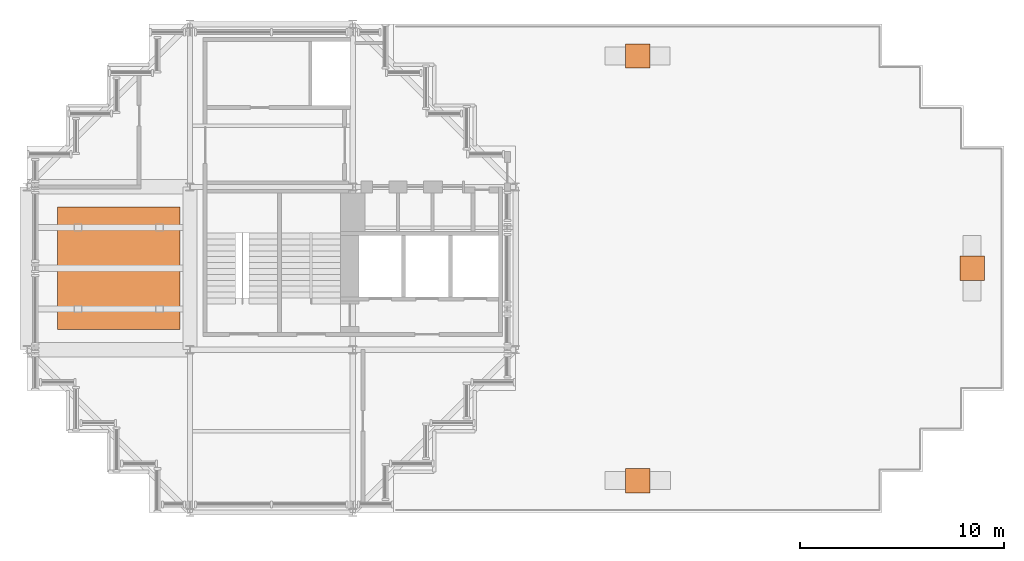
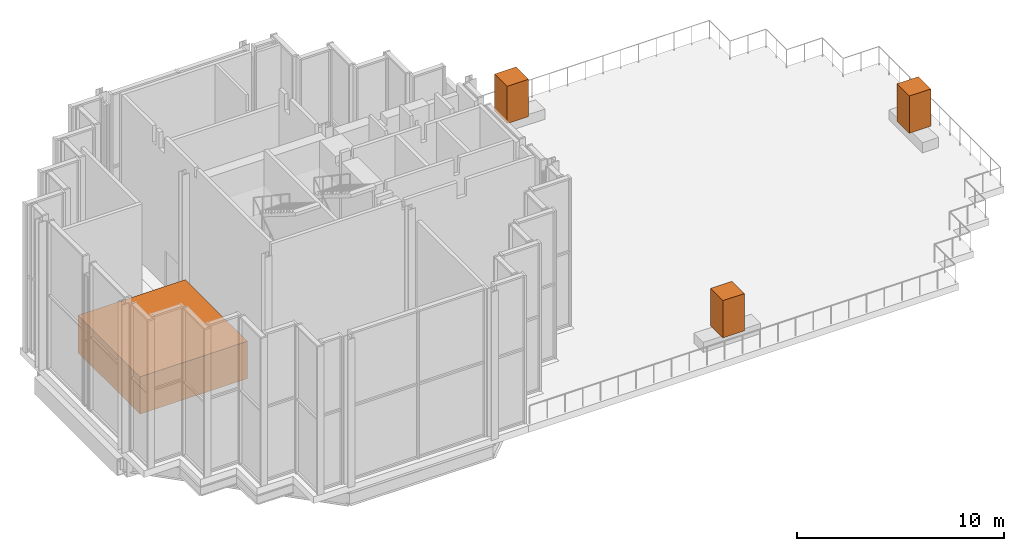
# One storey, part 15 of 15: 3 geographic elements, 1 proxy.
"""IFC4 building model written with IfcOpenShell, lengths in metres."""

import ifcopenshell
import ifcopenshell.guid

model = None  # the IFC model being written
_history = None  # IfcOwnerHistory: only IFC2X3 demands one
_inside = {}  # id of a spatial element -> (the spatial element, [elements in it])
_under = {}  # id of a project, library or spatial element -> (it, [spatial elements below it])
_declared = {}  # id of a project -> (the project, [libraries it declares])
_typed = {}  # id of a type object -> (the type object, [elements of that type])
_made_of = {}  # id of a material, layer set ... -> (it, [elements and type objects made of it])


def new_model(schema):
    """Start an empty IFC model of exactly this schema.

    Asked for "IFC4X3", IfcOpenShell would pick the latest addendum, in which some entities
    have other attributes; the version numbers below select the first issue.
    IFC2X3 requires an IfcOwnerHistory on every rooted entity: one is made here for all.
    """
    global model, _history
    if schema == "IFC4X3":
        model = ifcopenshell.file(schema_version=(4, 3, 0, 0))
    else:
        model = ifcopenshell.file(schema=schema)
    _inside.clear()
    _under.clear()
    _declared.clear()
    _typed.clear()
    _made_of.clear()
    _history = None
    if model.schema == "IFC2X3":
        org = make("IfcOrganization", Name="unknown")
        user = make(
            "IfcPersonAndOrganization",
            ThePerson=make("IfcPerson", FamilyName="unknown"),
            TheOrganization=org,
        )
        app = make(
            "IfcApplication",
            ApplicationDeveloper=org,
            Version="unknown",
            ApplicationFullName="unknown",
            ApplicationIdentifier="unknown",
        )
        _history = make(
            "IfcOwnerHistory",
            OwningUser=user,
            OwningApplication=app,
            ChangeAction="ADDED",
            CreationDate=0,
        )
    return model


def make(cls, **values):
    """One entity of the class cls with the attributes given. An attribute that is None is left unset."""
    return model.create_entity(
        cls, **{name: value for name, value in values.items() if value is not None}
    )


def rooted(cls, **values):
    """An entity with a GlobalId (a new one), such as an element, a storey or a relation."""
    return make(cls, GlobalId=ifcopenshell.guid.new(), OwnerHistory=_history, **values)


def si_unit(unit_type, name, prefix=None):
    """IfcSIUnit, for example si_unit("LENGTHUNIT", "METRE", prefix="MILLI")."""
    return make("IfcSIUnit", UnitType=unit_type, Prefix=prefix, Name=name)


def assignment(units):
    """IfcUnitAssignment: the units of a project."""
    return None if units is None else make("IfcUnitAssignment", Units=units)


def point(xyz):
    """IfcCartesianPoint."""
    return None if xyz is None else make("IfcCartesianPoint", Coordinates=xyz)


def direction(xyz):
    """IfcDirection."""
    return None if xyz is None else make("IfcDirection", DirectionRatios=xyz)


def frame(location, z_axis=None, x_axis=None):
    """IfcAxis2Placement3D, a coordinate frame: its origin and axes. An axis left out is left unset."""
    return make(
        "IfcAxis2Placement3D",
        Location=point(location),
        Axis=direction(z_axis),
        RefDirection=direction(x_axis),
    )


def frame_2d(location, x_axis=None):
    """IfcAxis2Placement2D, a coordinate frame in the plane: its origin and x axis."""
    return make(
        "IfcAxis2Placement2D", Location=point(location), RefDirection=direction(x_axis)
    )


def origin():
    """The frame at (0, 0, 0) with its axes left unset."""
    return frame((0.0, 0.0, 0.0))


def origin_2d():
    """The frame at (0, 0) in the plane with its x axis left unset."""
    return frame_2d((0.0, 0.0))


def place(relative_to, where):
    """IfcLocalPlacement: puts the frame where relative to a parent placement (None: the world)."""
    return make(
        "IfcLocalPlacement", PlacementRelTo=relative_to, RelativePlacement=where
    )


def context(
    kind, dimensions, precision=None, world=None, true_north=None, identifier=None
):
    """IfcGeometricRepresentationContext, for example the 3D "Model" context."""
    return make(
        "IfcGeometricRepresentationContext",
        ContextIdentifier=identifier,
        ContextType=kind,
        CoordinateSpaceDimension=dimensions,
        Precision=precision,
        WorldCoordinateSystem=world,
        TrueNorth=true_north,
    )


def subcontext(parent, identifier, kind, view, scale=None):
    """IfcGeometricRepresentationSubContext, for example "Body" below "Model"."""
    return make(
        "IfcGeometricRepresentationSubContext",
        ContextIdentifier=identifier,
        ContextType=kind,
        ParentContext=parent,
        TargetScale=scale,
        TargetView=view,
    )


def project(units=None, contexts=None):
    """IfcProject with its units and contexts."""
    return rooted(
        "IfcProject",
        Name="project",
        RepresentationContexts=contexts,
        UnitsInContext=assignment(units),
    )


def spatial(cls, under=None, at=None, **own):
    """A site, building, storey or space (cls), placed at a placement, below another one or the project."""
    s = rooted(cls, ObjectPlacement=at, **own)
    if under is not None:
        _under.setdefault(under.id(), (under, []))[1].append(s)
    return s


def profile(cls, at=None, kind="AREA", **sizes):
    """A parametric profile (cls). Its sizes go by their IFC names, for example OverallWidth=200.0."""
    return make(cls, ProfileType=kind, Position=at, **sizes)


def rectangle(**sizes):
    """IfcRectangleProfileDef."""
    return profile("IfcRectangleProfileDef", **sizes)


def extrude(swept, where, along, depth):
    """IfcExtrudedAreaSolid: the profile swept, set in the frame where, extruded along a direction by depth."""
    return make(
        "IfcExtrudedAreaSolid",
        SweptArea=swept,
        Position=where,
        ExtrudedDirection=direction(along),
        Depth=depth,
    )


def shape(context_of_items, identifier, shape_type, items):
    """IfcShapeRepresentation: the items that make up one representation, for example the "Body"."""
    return make(
        "IfcShapeRepresentation",
        ContextOfItems=context_of_items,
        RepresentationIdentifier=identifier,
        RepresentationType=shape_type,
        Items=items,
    )


def material(Name=None, Category=None):
    """IfcMaterial."""
    return make("IfcMaterial", Name=Name, Category=Category)


def made_of(thing, what):
    """Note that an element or type object is made of a material, layer set ...; save() writes the relation."""
    if what is not None:
        _made_of.setdefault(what.id(), (what, []))[1].append(thing)
    return thing


def type_object(cls, material=None, **own):
    """A type object (cls), such as IfcWallType, which elements share."""
    return made_of(rooted(cls, **own), material)


def element(
    cls,
    number,
    at=None,
    inside=None,
    cuts=None,
    type_object=None,
    material=None,
    context=None,
    identifier="Body",
    shape_type=None,
    held_by="IfcProductDefinitionShape",
    body=None,
    shapes=None,
    **own,
):
    """One element of the class cls, such as IfcWall. Its Tag is "e" and its number.

    at: its placement. inside: the storey or other place that contains it. cuts: it is an
    opening in that element (IfcRelVoidsElement). A single representation is given by context,
    identifier, shape_type and body (its items); several are given by shapes. held_by: the class
    of the entity that holds the representations. save() writes the other relations.
    """
    e = rooted(cls, Tag="e%d" % number, ObjectPlacement=at, **own)
    if body is not None:
        shapes = [shape(context, identifier, shape_type, body)]
    if shapes is not None:
        e.Representation = make(held_by, Representations=shapes)
    if inside is not None:
        _inside.setdefault(inside.id(), (inside, []))[1].append(e)
    if cuts is not None:
        rooted(
            "IfcRelVoidsElement", RelatingBuildingElement=cuts, RelatedOpeningElement=e
        )
    if type_object is not None:
        _typed.setdefault(type_object.id(), (type_object, []))[1].append(e)
    return made_of(e, material)


def aggregate(whole, parts):
    """IfcRelAggregates: a whole, such as a stair, and the parts it consists of."""
    return rooted("IfcRelAggregates", RelatingObject=whole, RelatedObjects=parts)


def save(model, path):
    """Write the relations noted so far, then the file.

    IfcRelAggregates (storeys below a building ...), IfcRelContainedInSpatialStructure (elements
    in a storey), IfcRelDefinesByType, IfcRelAssociatesMaterial and IfcRelDeclares: one each for
    every whole, place, type object, material and project.
    """
    for whole, parts in _under.values():
        aggregate(whole, parts)
    for where, things in _inside.values():
        rooted(
            "IfcRelContainedInSpatialStructure",
            RelatedElements=things,
            RelatingStructure=where,
        )
    for kind, things in _typed.values():
        rooted("IfcRelDefinesByType", RelatedObjects=things, RelatingType=kind)
    for what, things in _made_of.values():
        rooted("IfcRelAssociatesMaterial", RelatedObjects=things, RelatingMaterial=what)
    for by, libraries in _declared.values():
        rooted("IfcRelDeclares", RelatingContext=by, RelatedDefinitions=libraries)
    model.write(path)


model = new_model("IFC4")

# Units and contexts
model_context = context("Model", 3, precision=1e-05, world=origin(), true_north=direction((0.0, 1.0)))
body_context = subcontext(model_context, "Body", "Model", "MODEL_VIEW")
ifc_project = project(units=[si_unit("LENGTHUNIT", "METRE"), si_unit("AREAUNIT", "SQUARE_METRE"), si_unit("VOLUMEUNIT", "CUBIC_METRE"), si_unit("PLANEANGLEUNIT", "RADIAN"), si_unit("MASSUNIT", "GRAM", prefix="KILO")], contexts=[model_context])

# Site, building, storey
site_placement = place(None, origin())
site = spatial("IfcSite", under=ifc_project, at=site_placement, CompositionType="ELEMENT")
building_placement = place(site_placement, origin())
building = spatial("IfcBuilding", under=site, at=building_placement, Name="Immortelle Media Tower", CompositionType="ELEMENT")
storey_placement = place(building_placement, frame((0.0, 0.0, 299.0)))
storey = spatial("IfcBuildingStorey", under=building, at=storey_placement, Name="L66", CompositionType="ELEMENT", Elevation=299.0)

# Geographic elements
ifc_material_1 = material(Name="Tree canopy foliage")
geographic_element_type = type_object("IfcGeographicElementType", Name="Tree", PredefinedType="USERDEFINED", material=ifc_material_1)
for number, where, z_axis, x_axis, name in (
    (1, (30.0, 22.429931640625, 0.60009765625), (0.0, 0.0, 1.0), (1.0, 0.0, 0.0), "Terrace tree L66 SE0.0-1"),
    (2, (46.429931640625, 12.0, 0.60009765625), (0.0, 0.0, 1.0), (1.0, 0.0, 0.0), "Terrace tree L66 SE0.0-2"),
    (3, (30.0009765625, 1.570068359375, 0.60009765625), (0.0, 0.0, 1.0), (1.0, 0.0, 0.0), "Terrace tree L66 SE0.0-3"),
):
    element("IfcGeographicElement", number, at=place(storey_placement, frame(where, z_axis=z_axis, x_axis=x_axis)), inside=storey, type_object=geographic_element_type, Name=name, ObjectType="Tree", PredefinedType="USERDEFINED", context=body_context, shape_type="SweptSolid", body=[
        extrude(rectangle(XDim=1.199951171875, YDim=1.199951171875, at=origin_2d()), origin(), (0.0, 0.0, 1.0), 2.199951171875),
    ])

# Proxy
ifc_material_2 = material(Name="Steel ASTM A572 Gr 50", Category="steel")
proxy_placement = place(storey_placement, frame((4.5, 12.0, 1.0), z_axis=(0.0, 0.0, 1.0), x_axis=(1.0, 0.0, 0.0)))
element("IfcBuildingElementProxy", 4, at=proxy_placement, inside=storey, material=ifc_material_2, Name="Tuned mass damper", PredefinedType="NOTDEFINED", context=body_context, shape_type="SweptSolid", body=[
    extrude(rectangle(XDim=6.0, YDim=6.0, at=origin_2d()), origin(), (0.0, 0.0, 1.0), 2.199951171875),
])

save(model, "model.ifc")
